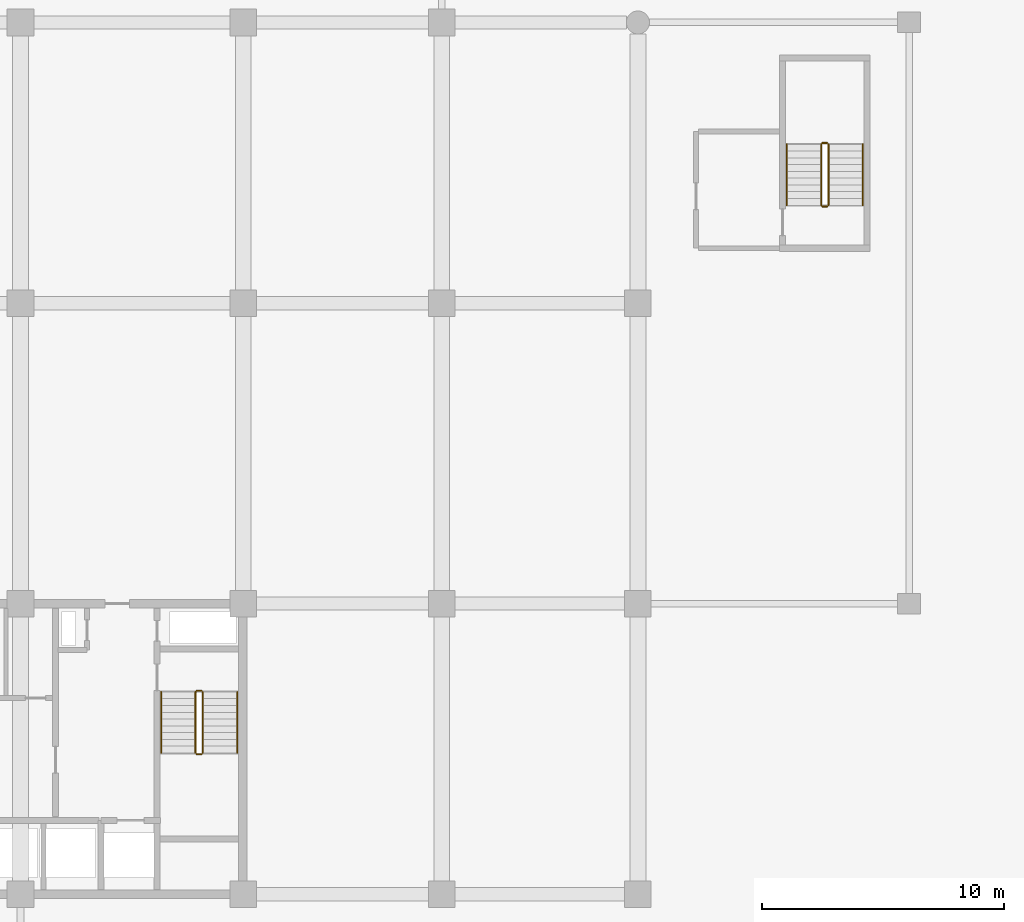
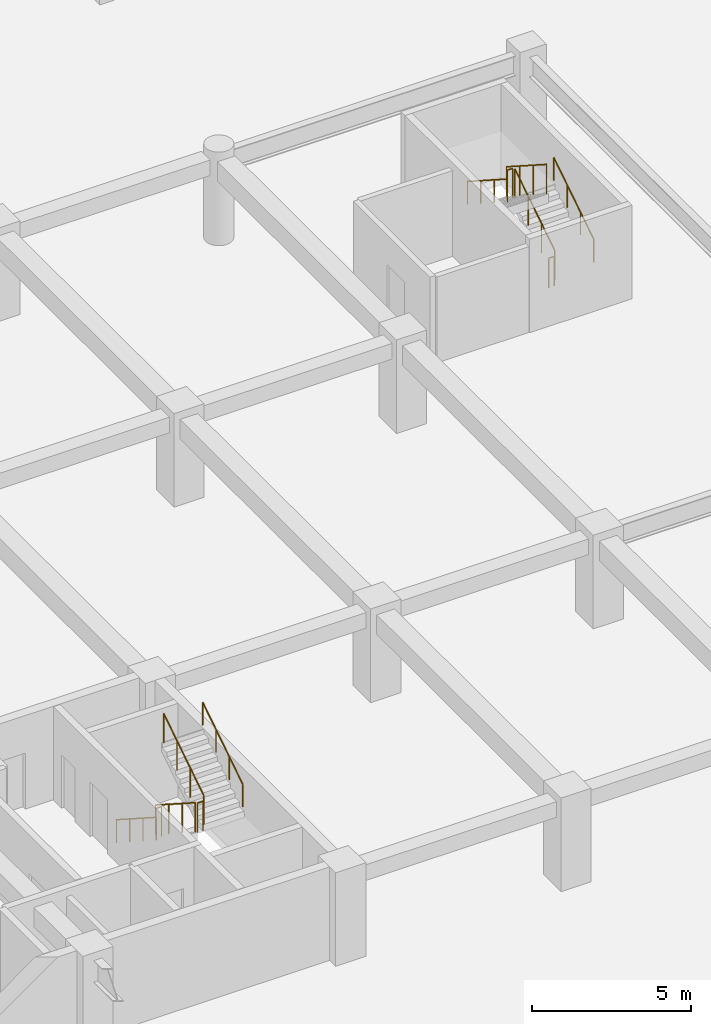
# One storey, part 22 of 22: 12 railings.
"""IFC4 building model written with IfcOpenShell, lengths in metres."""

from ifc_helpers import new_model, si_unit, direction, frame, origin, origin_2d, place, context, subcontext, project, spatial, circle, extrude, material, type_object, element, save


model = new_model("IFC4")

# Units and contexts
model_context = context("Model", 3, precision=1e-05, world=origin(), true_north=direction((0.0, 1.0)))
body_context = subcontext(model_context, "Body", "Model", "MODEL_VIEW")
ifc_project = project(units=[si_unit("LENGTHUNIT", "METRE"), si_unit("AREAUNIT", "SQUARE_METRE"), si_unit("VOLUMEUNIT", "CUBIC_METRE"), si_unit("PLANEANGLEUNIT", "RADIAN"), si_unit("MASSUNIT", "GRAM", prefix="KILO")], contexts=[model_context])

# Site, building, storey
site_placement = place(None, origin())
site = spatial("IfcSite", under=ifc_project, at=site_placement, CompositionType="ELEMENT")
building_placement = place(site_placement, origin())
building = spatial("IfcBuilding", under=site, at=building_placement, Name="Korimba Cascade Residences", CompositionType="ELEMENT")
storey_placement = place(building_placement, frame((0.0, 0.0, -7.199951171875)))
storey = spatial("IfcBuildingStorey", under=building, at=storey_placement, Name="B02", CompositionType="ELEMENT", Elevation=-7.199951171875)

# Railings
ifc_material_1 = material(Name="Painted Steel Stairwell Guardrail", Category="steel")
railing_type_1 = type_object("IfcRailingType", Name="RLG-ST-GD1150", PredefinedType="GUARDRAIL", material=ifc_material_1)
railing_1_placement = place(storey_placement, frame((110.1298828125, 63.550048828125, 0.179931640625)))
element("IfcRailing", 1, at=railing_1_placement, inside=storey, type_object=railing_type_1, Name="B02 ST-W2 stair guard 1", PredefinedType="GUARDRAIL", context=body_context, shape_type="SweptSolid", body=[
    extrude(circle(Radius=0.02392578125, at=origin_2d()), frame((0.0, 0.0, 1.1259765625), z_axis=(0.0, -0.841162588446, 0.540782303519), x_axis=(1.0, 0.0, 0.0)), (0.0, 0.0, 1.0), 2.995849609375),
    extrude(circle(Radius=0.02099609375, at=origin_2d()), origin(), (0.0, 0.0, 1.0), 1.101806640625),
    extrude(circle(Radius=0.02099609375, at=origin_2d()), frame((0.0, -0.840087890625, 0.5400390625)), (0.0, 0.0, 1.0), 1.101806640625),
    extrude(circle(Radius=0.02099609375, at=origin_2d()), frame((0.0, -1.679931640625, 1.080078125)), (0.0, 0.0, 1.0), 1.101806640625),
    extrude(circle(Radius=0.02099609375, at=origin_2d()), frame((0.0, -2.52001953125, 1.6201171875)), (0.0, 0.0, 1.0), 1.101806640625),
])
railing_2_placement = place(storey_placement, frame((110.179931640625, 60.97998046875, 1.800048828125)))
element("IfcRailing", 2, at=railing_2_placement, inside=storey, type_object=railing_type_1, Name="B02 ST-W2 stair guard 2", PredefinedType="GUARDRAIL", context=body_context, shape_type="SweptSolid", body=[
    extrude(circle(Radius=0.02392578125, at=origin_2d()), frame((0.0, 0.0, 1.1259765625), z_axis=(1.0, 0.0, 0.0), x_axis=(0.0, 1.0, 0.0)), (0.0, 0.0, 1.0), 0.199951171875),
    extrude(circle(Radius=0.02099609375, at=origin_2d()), origin(), (0.0, 0.0, 1.0), 1.101806640625),
    extrude(circle(Radius=0.02099609375, at=origin_2d()), frame((0.199951171875, 0.0, 0.0)), (0.0, 0.0, 1.0), 1.101806640625),
])
railing_3_placement = place(storey_placement, frame((110.429931640625, 61.030029296875, 1.97998046875)))
element("IfcRailing", 3, at=railing_3_placement, inside=storey, type_object=railing_type_1, Name="B02 ST-W2 stair guard 3", PredefinedType="GUARDRAIL", context=body_context, shape_type="SweptSolid", body=[
    extrude(circle(Radius=0.02392578125, at=origin_2d()), frame((0.0, 0.0, 1.1259765625), z_axis=(0.0, 0.841199657755, 0.540724639528), x_axis=(-1.0, 0.0, 0.0)), (0.0, 0.0, 1.0), 2.995849609375),
    extrude(circle(Radius=0.02099609375, at=origin_2d()), origin(), (0.0, 0.0, 1.0), 1.101806640625),
    extrude(circle(Radius=0.02099609375, at=origin_2d()), frame((0.0, 0.840087890625, 0.5400390625)), (0.0, 0.0, 1.0), 1.101806640625),
    extrude(circle(Radius=0.02099609375, at=origin_2d()), frame((0.0, 1.679931640625, 1.079833984375)), (0.0, 0.0, 1.0), 1.101806640625),
    extrude(circle(Radius=0.02099609375, at=origin_2d()), frame((0.0, 2.52001953125, 1.619873046875)), (0.0, 0.0, 1.0), 1.101806640625),
])
railing_4_placement = place(storey_placement, frame((110.179931640625, 63.60009765625, 0.0)))
element("IfcRailing", 4, at=railing_4_placement, inside=storey, type_object=railing_type_1, Name="B02 ST-W2 stair guard 4", PredefinedType="GUARDRAIL", context=body_context, shape_type="SweptSolid", body=[
    extrude(circle(Radius=0.02392578125, at=origin_2d()), frame((0.0, 0.0, 1.1259765625), z_axis=(1.0, 0.0, 0.0), x_axis=(0.0, 1.0, 0.0)), (0.0, 0.0, 1.0), 0.199951171875),
    extrude(circle(Radius=0.02099609375, at=origin_2d()), origin(), (0.0, 0.0, 1.0), 1.101806640625),
    extrude(circle(Radius=0.02099609375, at=origin_2d()), frame((0.199951171875, 0.0, 0.0)), (0.0, 0.0, 1.0), 1.101806640625),
])
railing_5_placement = place(storey_placement, frame((136.27001953125, 83.64990234375, 0.179931640625)))
element("IfcRailing", 5, at=railing_5_placement, inside=storey, type_object=railing_type_1, Name="B02 ST-P4 stair guard 1", PredefinedType="GUARDRAIL", context=body_context, shape_type="SweptSolid", body=[
    extrude(circle(Radius=0.02392578125, at=origin_2d()), frame((0.0, 0.0, 1.1259765625), z_axis=(0.0, 0.841162588446, 0.540782303519), x_axis=(-1.0, 0.0, 0.0)), (0.0, 0.0, 1.0), 2.995849609375),
    extrude(circle(Radius=0.02099609375, at=origin_2d()), origin(), (0.0, 0.0, 1.0), 1.101806640625),
    extrude(circle(Radius=0.02099609375, at=origin_2d()), frame((0.0, 0.840087890625, 0.5400390625)), (0.0, 0.0, 1.0), 1.101806640625),
    extrude(circle(Radius=0.02099609375, at=origin_2d()), frame((0.0, 1.679931640625, 1.080078125)), (0.0, 0.0, 1.0), 1.101806640625),
    extrude(circle(Radius=0.02099609375, at=origin_2d()), frame((0.0, 2.52001953125, 1.6201171875)), (0.0, 0.0, 1.0), 1.101806640625),
])
railing_6_placement = place(storey_placement, frame((136.219970703125, 86.219970703125, 1.800048828125)))
element("IfcRailing", 6, at=railing_6_placement, inside=storey, type_object=railing_type_1, Name="B02 ST-P4 stair guard 2", PredefinedType="GUARDRAIL", context=body_context, shape_type="SweptSolid", body=[
    extrude(circle(Radius=0.02392578125, at=origin_2d()), frame((0.0, 0.0, 1.1259765625), z_axis=(-1.0, 0.0, 0.0), x_axis=(0.0, -1.0, 0.0)), (0.0, 0.0, 1.0), 0.199951171875),
    extrude(circle(Radius=0.02099609375, at=origin_2d()), origin(), (0.0, 0.0, 1.0), 1.101806640625),
    extrude(circle(Radius=0.02099609375, at=origin_2d()), frame((-0.199951171875, 0.0, 0.0)), (0.0, 0.0, 1.0), 1.101806640625),
])
railing_7_placement = place(storey_placement, frame((135.969970703125, 86.169921875, 1.97998046875)))
element("IfcRailing", 7, at=railing_7_placement, inside=storey, type_object=railing_type_1, Name="B02 ST-P4 stair guard 3", PredefinedType="GUARDRAIL", context=body_context, shape_type="SweptSolid", body=[
    extrude(circle(Radius=0.02392578125, at=origin_2d()), frame((0.0, 0.0, 1.1259765625), z_axis=(0.0, -0.841199657755, 0.540724639528), x_axis=(1.0, 0.0, 0.0)), (0.0, 0.0, 1.0), 2.995849609375),
    extrude(circle(Radius=0.02099609375, at=origin_2d()), origin(), (0.0, 0.0, 1.0), 1.101806640625),
    extrude(circle(Radius=0.02099609375, at=origin_2d()), frame((0.0, -0.840087890625, 0.5400390625)), (0.0, 0.0, 1.0), 1.101806640625),
    extrude(circle(Radius=0.02099609375, at=origin_2d()), frame((0.0, -1.679931640625, 1.079833984375)), (0.0, 0.0, 1.0), 1.101806640625),
    extrude(circle(Radius=0.02099609375, at=origin_2d()), frame((0.0, -2.52001953125, 1.619873046875)), (0.0, 0.0, 1.0), 1.101806640625),
])
railing_8_placement = place(storey_placement, frame((136.219970703125, 83.60009765625, 0.0)))
element("IfcRailing", 8, at=railing_8_placement, inside=storey, type_object=railing_type_1, Name="B02 ST-P4 stair guard 4", PredefinedType="GUARDRAIL", context=body_context, shape_type="SweptSolid", body=[
    extrude(circle(Radius=0.02392578125, at=origin_2d()), frame((0.0, 0.0, 1.1259765625), z_axis=(-1.0, 0.0, 0.0), x_axis=(0.0, -1.0, 0.0)), (0.0, 0.0, 1.0), 0.199951171875),
    extrude(circle(Radius=0.02099609375, at=origin_2d()), origin(), (0.0, 0.0, 1.0), 1.101806640625),
    extrude(circle(Radius=0.02099609375, at=origin_2d()), frame((-0.199951171875, 0.0, 0.0)), (0.0, 0.0, 1.0), 1.101806640625),
])
ifc_material_2 = material(Name="Brushed Stainless Steel Handrail", Category="steel")
railing_type_2 = type_object("IfcRailingType", Name="RLG-ST-HR900", PredefinedType="HANDRAIL", material=ifc_material_2)
railing_9_placement = place(storey_placement, frame((108.7099609375, 63.550048828125, 0.36376953125)))
element("IfcRailing", 9, at=railing_9_placement, inside=storey, type_object=railing_type_2, Name="B02 ST-W2 stair handrail 1", PredefinedType="HANDRAIL", context=body_context, shape_type="SweptSolid", body=[
    extrude(circle(Radius=0.02392578125, at=origin_2d()), frame((0.0, 0.0, 0.8759765625), z_axis=(0.0, -0.841199657755, 0.540724639528), x_axis=(1.0, 0.0, 0.0)), (0.0, 0.0, 1.0), 2.995849609375),
    extrude(circle(Radius=0.02099609375, at=origin_2d()), origin(), (0.0, 0.0, 1.0), 0.851806640625),
    extrude(circle(Radius=0.02099609375, at=origin_2d()), frame((0.0, -0.840087890625, 0.5400390625)), (0.0, 0.0, 1.0), 0.851806640625),
    extrude(circle(Radius=0.02099609375, at=origin_2d()), frame((0.0, -1.679931640625, 1.079833984375)), (0.0, 0.0, 1.0), 0.851806640625),
    extrude(circle(Radius=0.02099609375, at=origin_2d()), frame((0.0, -2.52001953125, 1.619873046875)), (0.0, 0.0, 1.0), 0.851806640625),
])
for number, where, name in (
    (10, (111.85009765625, 61.030029296875, 2.163818359375), "B02 ST-W2 stair handrail 2"),
    (11, (137.68994140625, 83.64990234375, 0.36376953125), "B02 ST-P4 stair handrail 1"),
):
    element("IfcRailing", number, at=place(storey_placement, frame(where)), inside=storey, type_object=railing_type_2, Name=name, PredefinedType="HANDRAIL", context=body_context, shape_type="SweptSolid", body=[
        extrude(circle(Radius=0.02392578125, at=origin_2d()), frame((0.0, 0.0, 0.8759765625), z_axis=(0.0, 0.841199657755, 0.540724639528), x_axis=(-1.0, 0.0, 0.0)), (0.0, 0.0, 1.0), 2.995849609375),
        extrude(circle(Radius=0.02099609375, at=origin_2d()), origin(), (0.0, 0.0, 1.0), 0.851806640625),
        extrude(circle(Radius=0.02099609375, at=origin_2d()), frame((0.0, 0.840087890625, 0.5400390625)), (0.0, 0.0, 1.0), 0.851806640625),
        extrude(circle(Radius=0.02099609375, at=origin_2d()), frame((0.0, 1.679931640625, 1.079833984375)), (0.0, 0.0, 1.0), 0.851806640625),
        extrude(circle(Radius=0.02099609375, at=origin_2d()), frame((0.0, 2.52001953125, 1.619873046875)), (0.0, 0.0, 1.0), 0.851806640625),
    ])
railing_10_placement = place(storey_placement, frame((134.550048828125, 86.169921875, 2.163818359375)))
element("IfcRailing", 12, at=railing_10_placement, inside=storey, type_object=railing_type_2, Name="B02 ST-P4 stair handrail 2", PredefinedType="HANDRAIL", context=body_context, shape_type="SweptSolid", body=[
    extrude(circle(Radius=0.02392578125, at=origin_2d()), frame((0.0, 0.0, 0.8759765625), z_axis=(0.0, -0.841199657755, 0.540724639528), x_axis=(1.0, 0.0, 0.0)), (0.0, 0.0, 1.0), 2.995849609375),
    extrude(circle(Radius=0.02099609375, at=origin_2d()), origin(), (0.0, 0.0, 1.0), 0.851806640625),
    extrude(circle(Radius=0.02099609375, at=origin_2d()), frame((0.0, -0.840087890625, 0.5400390625)), (0.0, 0.0, 1.0), 0.851806640625),
    extrude(circle(Radius=0.02099609375, at=origin_2d()), frame((0.0, -1.679931640625, 1.079833984375)), (0.0, 0.0, 1.0), 0.851806640625),
    extrude(circle(Radius=0.02099609375, at=origin_2d()), frame((0.0, -2.52001953125, 1.619873046875)), (0.0, 0.0, 1.0), 0.851806640625),
])

save(model, "model.ifc")
